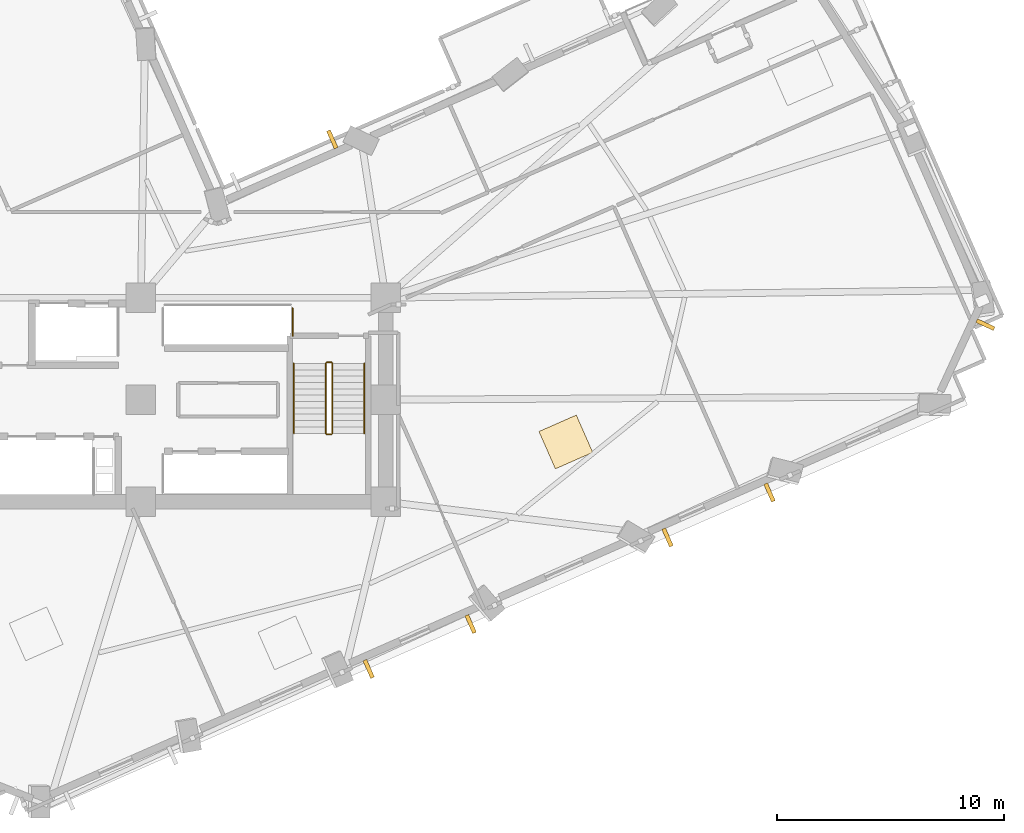
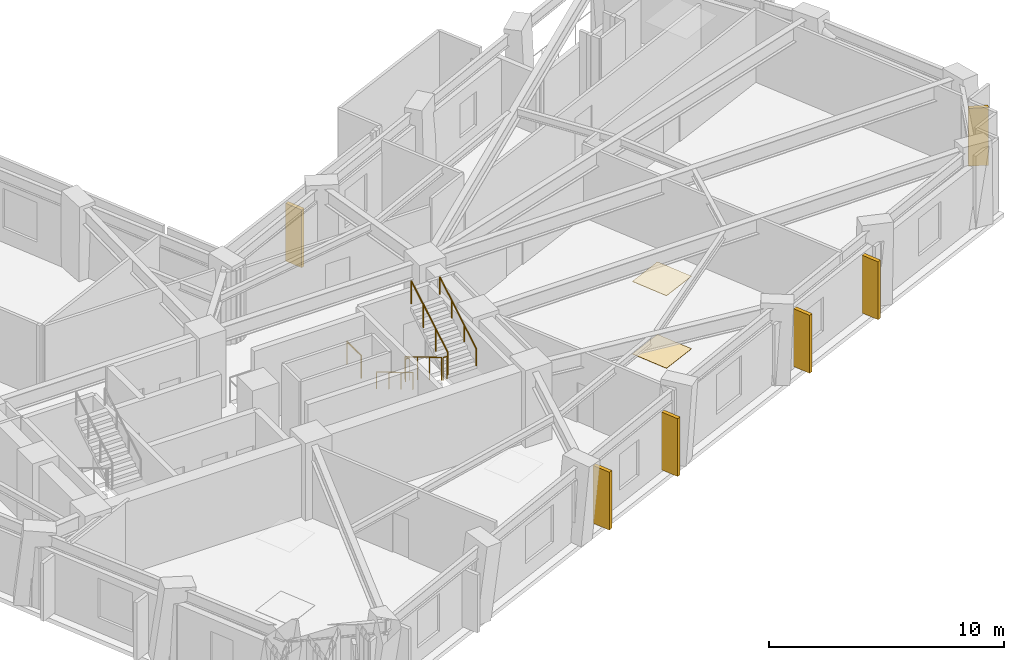
# One storey, part 12 of 15: 7 railings, 6 shading devices, 2 coverings.
"""IFC4 building model written with IfcOpenShell, lengths in metres."""

import ifcopenshell
import ifcopenshell.guid

model = None  # the IFC model being written
_history = None  # IfcOwnerHistory: only IFC2X3 demands one
_inside = {}  # id of a spatial element -> (the spatial element, [elements in it])
_under = {}  # id of a project, library or spatial element -> (it, [spatial elements below it])
_declared = {}  # id of a project -> (the project, [libraries it declares])
_typed = {}  # id of a type object -> (the type object, [elements of that type])
_made_of = {}  # id of a material, layer set ... -> (it, [elements and type objects made of it])


def new_model(schema):
    """Start an empty IFC model of exactly this schema.

    Asked for "IFC4X3", IfcOpenShell would pick the latest addendum, in which some entities
    have other attributes; the version numbers below select the first issue.
    IFC2X3 requires an IfcOwnerHistory on every rooted entity: one is made here for all.
    """
    global model, _history
    if schema == "IFC4X3":
        model = ifcopenshell.file(schema_version=(4, 3, 0, 0))
    else:
        model = ifcopenshell.file(schema=schema)
    _inside.clear()
    _under.clear()
    _declared.clear()
    _typed.clear()
    _made_of.clear()
    _history = None
    if model.schema == "IFC2X3":
        org = make("IfcOrganization", Name="unknown")
        user = make(
            "IfcPersonAndOrganization",
            ThePerson=make("IfcPerson", FamilyName="unknown"),
            TheOrganization=org,
        )
        app = make(
            "IfcApplication",
            ApplicationDeveloper=org,
            Version="unknown",
            ApplicationFullName="unknown",
            ApplicationIdentifier="unknown",
        )
        _history = make(
            "IfcOwnerHistory",
            OwningUser=user,
            OwningApplication=app,
            ChangeAction="ADDED",
            CreationDate=0,
        )
    return model


def make(cls, **values):
    """One entity of the class cls with the attributes given. An attribute that is None is left unset."""
    return model.create_entity(
        cls, **{name: value for name, value in values.items() if value is not None}
    )


def rooted(cls, **values):
    """An entity with a GlobalId (a new one), such as an element, a storey or a relation."""
    return make(cls, GlobalId=ifcopenshell.guid.new(), OwnerHistory=_history, **values)


def si_unit(unit_type, name, prefix=None):
    """IfcSIUnit, for example si_unit("LENGTHUNIT", "METRE", prefix="MILLI")."""
    return make("IfcSIUnit", UnitType=unit_type, Prefix=prefix, Name=name)


def assignment(units):
    """IfcUnitAssignment: the units of a project."""
    return None if units is None else make("IfcUnitAssignment", Units=units)


def point(xyz):
    """IfcCartesianPoint."""
    return None if xyz is None else make("IfcCartesianPoint", Coordinates=xyz)


def direction(xyz):
    """IfcDirection."""
    return None if xyz is None else make("IfcDirection", DirectionRatios=xyz)


def frame(location, z_axis=None, x_axis=None):
    """IfcAxis2Placement3D, a coordinate frame: its origin and axes. An axis left out is left unset."""
    return make(
        "IfcAxis2Placement3D",
        Location=point(location),
        Axis=direction(z_axis),
        RefDirection=direction(x_axis),
    )


def frame_2d(location, x_axis=None):
    """IfcAxis2Placement2D, a coordinate frame in the plane: its origin and x axis."""
    return make(
        "IfcAxis2Placement2D", Location=point(location), RefDirection=direction(x_axis)
    )


def origin():
    """The frame at (0, 0, 0) with its axes left unset."""
    return frame((0.0, 0.0, 0.0))


def origin_2d():
    """The frame at (0, 0) in the plane with its x axis left unset."""
    return frame_2d((0.0, 0.0))


def place(relative_to, where):
    """IfcLocalPlacement: puts the frame where relative to a parent placement (None: the world)."""
    return make(
        "IfcLocalPlacement", PlacementRelTo=relative_to, RelativePlacement=where
    )


def context(
    kind, dimensions, precision=None, world=None, true_north=None, identifier=None
):
    """IfcGeometricRepresentationContext, for example the 3D "Model" context."""
    return make(
        "IfcGeometricRepresentationContext",
        ContextIdentifier=identifier,
        ContextType=kind,
        CoordinateSpaceDimension=dimensions,
        Precision=precision,
        WorldCoordinateSystem=world,
        TrueNorth=true_north,
    )


def subcontext(parent, identifier, kind, view, scale=None):
    """IfcGeometricRepresentationSubContext, for example "Body" below "Model"."""
    return make(
        "IfcGeometricRepresentationSubContext",
        ContextIdentifier=identifier,
        ContextType=kind,
        ParentContext=parent,
        TargetScale=scale,
        TargetView=view,
    )


def project(units=None, contexts=None):
    """IfcProject with its units and contexts."""
    return rooted(
        "IfcProject",
        Name="project",
        RepresentationContexts=contexts,
        UnitsInContext=assignment(units),
    )


def spatial(cls, under=None, at=None, **own):
    """A site, building, storey or space (cls), placed at a placement, below another one or the project."""
    s = rooted(cls, ObjectPlacement=at, **own)
    if under is not None:
        _under.setdefault(under.id(), (under, []))[1].append(s)
    return s


def profile(cls, at=None, kind="AREA", **sizes):
    """A parametric profile (cls). Its sizes go by their IFC names, for example OverallWidth=200.0."""
    return make(cls, ProfileType=kind, Position=at, **sizes)


def rectangle(**sizes):
    """IfcRectangleProfileDef."""
    return profile("IfcRectangleProfileDef", **sizes)


def circle(**sizes):
    """IfcCircleProfileDef."""
    return profile("IfcCircleProfileDef", **sizes)


def extrude(swept, where, along, depth):
    """IfcExtrudedAreaSolid: the profile swept, set in the frame where, extruded along a direction by depth."""
    return make(
        "IfcExtrudedAreaSolid",
        SweptArea=swept,
        Position=where,
        ExtrudedDirection=direction(along),
        Depth=depth,
    )


def shape(context_of_items, identifier, shape_type, items):
    """IfcShapeRepresentation: the items that make up one representation, for example the "Body"."""
    return make(
        "IfcShapeRepresentation",
        ContextOfItems=context_of_items,
        RepresentationIdentifier=identifier,
        RepresentationType=shape_type,
        Items=items,
    )


def material(Name=None, Category=None):
    """IfcMaterial."""
    return make("IfcMaterial", Name=Name, Category=Category)


def layer(
    of_material, thickness, ventilated=None, Name=None, Category=None, Priority=None
):
    """IfcMaterialLayer: one layer of a wall or slab, of a material (None: an air gap)."""
    return make(
        "IfcMaterialLayer",
        Material=of_material,
        LayerThickness=thickness,
        IsVentilated=ventilated,
        Name=Name,
        Category=Category,
        Priority=Priority,
    )


def layer_set(layers, Name=None):
    """IfcMaterialLayerSet."""
    return make("IfcMaterialLayerSet", MaterialLayers=layers, LayerSetName=Name)


def made_of(thing, what):
    """Note that an element or type object is made of a material, layer set ...; save() writes the relation."""
    if what is not None:
        _made_of.setdefault(what.id(), (what, []))[1].append(thing)
    return thing


def type_object(cls, material=None, **own):
    """A type object (cls), such as IfcWallType, which elements share."""
    return made_of(rooted(cls, **own), material)


def element(
    cls,
    number,
    at=None,
    inside=None,
    cuts=None,
    type_object=None,
    material=None,
    context=None,
    identifier="Body",
    shape_type=None,
    held_by="IfcProductDefinitionShape",
    body=None,
    shapes=None,
    **own,
):
    """One element of the class cls, such as IfcWall. Its Tag is "e" and its number.

    at: its placement. inside: the storey or other place that contains it. cuts: it is an
    opening in that element (IfcRelVoidsElement). A single representation is given by context,
    identifier, shape_type and body (its items); several are given by shapes. held_by: the class
    of the entity that holds the representations. save() writes the other relations.
    """
    e = rooted(cls, Tag="e%d" % number, ObjectPlacement=at, **own)
    if body is not None:
        shapes = [shape(context, identifier, shape_type, body)]
    if shapes is not None:
        e.Representation = make(held_by, Representations=shapes)
    if inside is not None:
        _inside.setdefault(inside.id(), (inside, []))[1].append(e)
    if cuts is not None:
        rooted(
            "IfcRelVoidsElement", RelatingBuildingElement=cuts, RelatedOpeningElement=e
        )
    if type_object is not None:
        _typed.setdefault(type_object.id(), (type_object, []))[1].append(e)
    return made_of(e, material)


def aggregate(whole, parts):
    """IfcRelAggregates: a whole, such as a stair, and the parts it consists of."""
    return rooted("IfcRelAggregates", RelatingObject=whole, RelatedObjects=parts)


def save(model, path):
    """Write the relations noted so far, then the file.

    IfcRelAggregates (storeys below a building ...), IfcRelContainedInSpatialStructure (elements
    in a storey), IfcRelDefinesByType, IfcRelAssociatesMaterial and IfcRelDeclares: one each for
    every whole, place, type object, material and project.
    """
    for whole, parts in _under.values():
        aggregate(whole, parts)
    for where, things in _inside.values():
        rooted(
            "IfcRelContainedInSpatialStructure",
            RelatedElements=things,
            RelatingStructure=where,
        )
    for kind, things in _typed.values():
        rooted("IfcRelDefinesByType", RelatedObjects=things, RelatingType=kind)
    for what, things in _made_of.values():
        rooted("IfcRelAssociatesMaterial", RelatedObjects=things, RelatingMaterial=what)
    for by, libraries in _declared.values():
        rooted("IfcRelDeclares", RelatingContext=by, RelatedDefinitions=libraries)
    model.write(path)


model = new_model("IFC4")

# Units and contexts
model_context = context("Model", 3, precision=1e-05, world=origin(), true_north=direction((0.0, 1.0)))
body_context = subcontext(model_context, "Body", "Model", "MODEL_VIEW")
ifc_project = project(units=[si_unit("LENGTHUNIT", "METRE"), si_unit("AREAUNIT", "SQUARE_METRE"), si_unit("VOLUMEUNIT", "CUBIC_METRE"), si_unit("PLANEANGLEUNIT", "RADIAN"), si_unit("MASSUNIT", "GRAM", prefix="KILO")], contexts=[model_context])

# Site, building, storey
site_placement = place(None, origin())
site = spatial("IfcSite", under=ifc_project, at=site_placement, CompositionType="ELEMENT")
building_placement = place(site_placement, origin())
building = spatial("IfcBuilding", under=site, at=building_placement, Name="Gaonmaruhae Medical Tower", CompositionType="ELEMENT")
storey_placement = place(building_placement, frame((0.0, 0.0, 124.39990234375)))
storey = spatial("IfcBuildingStorey", under=building, at=storey_placement, Name="L29", CompositionType="ELEMENT", Elevation=124.39990234375)

# Coverings
ifc_material_1 = material(Name="Acoustic mineral ceiling tile", Category="finish")
ifc_layer_1 = layer(ifc_material_1, 0.02490234375)
ifc_layer_set_1 = layer_set([ifc_layer_1], Name="Acoustic mineral ceiling tile")
covering_type_1 = type_object("IfcCoveringType", Name="CLG-01 Antimicrobial Acoustic Mineral Ceiling", PredefinedType="CEILING", material=ifc_layer_set_1)
covering_1_placement = place(storey_placement, frame((43.547119140625, 10.4365234375, 3.755126953125), z_axis=(0.0, 0.0, 1.0), x_axis=(0.915311479119, 0.402746689859, 0.0)))
element("IfcCovering", 1, at=covering_1_placement, inside=storey, type_object=covering_type_1, Name="L29 Clinical Room Acoustic Ceiling 4", PredefinedType="CEILING", context=body_context, shape_type="SweptSolid", body=[
    extrude(rectangle(XDim=1.800048828125, YDim=1.800048828125, at=origin_2d()), origin(), (0.0, 0.0, 1.0), 0.02490234375),
])
ifc_material_2 = material(Name="Seamless clinical vinyl flooring", Category="finish")
ifc_layer_2 = layer(ifc_material_2, 0.014892578125)
ifc_layer_set_2 = layer_set([ifc_layer_2], Name="Seamless clinical vinyl flooring")
covering_type_2 = type_object("IfcCoveringType", Name="FLR-01 Seamless Clinical Antistatic Vinyl Flooring", PredefinedType="FLOORING", material=ifc_layer_set_2)
covering_2_placement = place(storey_placement, frame((43.547119140625, 10.4365234375, 0.0), z_axis=(0.0, 0.0, 1.0), x_axis=(0.915311479119, 0.402746689859, 0.0)))
element("IfcCovering", 2, at=covering_2_placement, inside=storey, type_object=covering_type_2, Name="L29 Clinical Room Vinyl Flooring 4", PredefinedType="FLOORING", context=body_context, shape_type="SweptSolid", body=[
    extrude(rectangle(XDim=1.800048828125, YDim=1.800048828125, at=origin_2d()), origin(), (0.0, 0.0, 1.0), 0.014892578125),
])

# Railings
ifc_material_3 = material(Name="Stainless steel 304 handrail", Category="steel")
railing_type_1 = type_object("IfcRailingType", Name="HR-092 Continuous Stainless Steel Stair Handrail", PredefinedType="HANDRAIL", material=ifc_material_3)
railing_1_placement = place(storey_placement, frame((31.550048828125, 13.89990234375, 0.166748046875)))
element("IfcRailing", 3, at=railing_1_placement, inside=storey, type_object=railing_type_1, Name="L29 ST-02 stair handrail 1", PredefinedType="HANDRAIL", context=body_context, shape_type="SweptSolid", body=[
    extrude(circle(Radius=0.02392578125, at=origin_2d()), frame((0.0, 0.0, 0.8759765625), z_axis=(0.0, -0.859290745958, 0.51148745235), x_axis=(1.0, 0.0, 0.0)), (0.0, 0.0, 1.0), 3.584228515625),
    extrude(circle(Radius=0.02099609375, at=origin_2d()), origin(), (0.0, 0.0, 1.0), 0.851806640625),
    extrude(circle(Radius=0.02099609375, at=origin_2d()), frame((0.0, -1.026611328125, 0.611083984375)), (0.0, 0.0, 1.0), 0.851806640625),
    extrude(circle(Radius=0.02099609375, at=origin_2d()), frame((0.0, -2.05322265625, 1.22216796875)), (0.0, 0.0, 1.0), 0.851806640625),
    extrude(circle(Radius=0.02099609375, at=origin_2d()), frame((0.0, -3.079833984375, 1.833251953125)), (0.0, 0.0, 1.0), 0.851806640625),
])
railing_2_placement = place(storey_placement, frame((34.64990234375, 10.820068359375, 2.166748046875)))
element("IfcRailing", 4, at=railing_2_placement, inside=storey, type_object=railing_type_1, Name="L29 ST-02 stair handrail 2", PredefinedType="HANDRAIL", context=body_context, shape_type="SweptSolid", body=[
    extrude(circle(Radius=0.02392578125, at=origin_2d()), frame((0.0, 0.0, 0.8759765625), z_axis=(0.0, 0.859290745958, 0.51148745235), x_axis=(-1.0, 0.0, 0.0)), (0.0, 0.0, 1.0), 3.584228515625),
    extrude(circle(Radius=0.02099609375, at=origin_2d()), origin(), (0.0, 0.0, 1.0), 0.851806640625),
    extrude(circle(Radius=0.02099609375, at=origin_2d()), frame((0.0, 1.026611328125, 0.611083984375)), (0.0, 0.0, 1.0), 0.851806640625),
    extrude(circle(Radius=0.02099609375, at=origin_2d()), frame((0.0, 2.05322265625, 1.22216796875)), (0.0, 0.0, 1.0), 0.851806640625),
    extrude(circle(Radius=0.02099609375, at=origin_2d()), frame((0.0, 3.079833984375, 1.833251953125)), (0.0, 0.0, 1.0), 0.851806640625),
])

# Shading devices
ifc_material_4 = material(Name="Pigmented coral precast concrete C45/55", Category="concrete")
shading_device_type = type_object("IfcShadingDeviceType", Name="SD-FIN1 Tower Vertical Coral Precast Shading Fin", PredefinedType="USERDEFINED", material=ifc_material_4)
for number, where, z_axis, x_axis, name in (
    (5, (39.34619140625, 2.40234375, 0.08251953125), (0.0, 0.0, 1.0), (-0.915318508236, -0.402730714598, 0.0), "L29 Vertical Coral Precast Shading Fin S03"),
    (6, (34.847900390625, 0.423095703125, 0.08251953125), (0.0, 0.0, 1.0), (-0.915318508236, -0.402730714598, 0.0), "L29 Vertical Coral Precast Shading Fin S03B"),
    (7, (52.5341796875, 8.205322265625, 0.08251953125), (0.0, 0.0, 1.0), (-0.915311479119, -0.402746689859, 0.0), "L29 Vertical Coral Precast Shading Fin S05"),
    (8, (48.032470703125, 6.224365234375, 0.08251953125), (0.0, 0.0, 1.0), (-0.915311479119, -0.402746689859, 0.0), "L29 Vertical Coral Precast Shading Fin S05B"),
    (9, (62.057373046875, 15.611328125, 0.08251953125), (0.0, 0.0, 1.0), (-0.419483769602, -0.90776283634, 0.0), "L29 Vertical Coral Precast Shading Fin S07"),
    (10, (33.243408203125, 23.785400390625, 0.08251953125), (0.0, 0.0, 1.0), (0.915311479119, 0.402746689859, 0.0), "L29 Vertical Coral Precast Shading Fin EN03B"),
):
    element("IfcShadingDevice", number, at=place(storey_placement, frame(where, z_axis=z_axis, x_axis=x_axis)), inside=storey, type_object=shading_device_type, Name=name, ObjectType="FIN", PredefinedType="USERDEFINED", context=body_context, shape_type="SweptSolid", body=[
        extrude(rectangle(XDim=0.179931640625, YDim=0.85009765625, at=origin_2d()), origin(), (0.0, 0.0, 1.0), 3.0),
    ])

# Railings
ifc_material_5 = material(Name="Stainless steel 304 balustrade", Category="steel")
railing_type_2 = type_object("IfcRailingType", Name="SG-112 Stair Well & Ramp Void Safety Balustrade", PredefinedType="BALUSTRADE", material=ifc_material_5)
railing_3_placement = place(storey_placement, frame((32.949951171875, 13.89990234375, 0.166748046875)))
element("IfcRailing", 11, at=railing_3_placement, inside=storey, type_object=railing_type_2, Name="L29 ST-02 stair guard 1", PredefinedType="BALUSTRADE", context=body_context, shape_type="SweptSolid", body=[
    extrude(circle(Radius=0.02392578125, at=origin_2d()), frame((0.0, 0.0, 1.17578125), z_axis=(0.0, -0.859290745958, 0.51148745235), x_axis=(1.0, 0.0, 0.0)), (0.0, 0.0, 1.0), 3.584228515625),
    extrude(circle(Radius=0.02099609375, at=origin_2d()), origin(), (0.0, 0.0, 1.0), 1.15185546875),
    extrude(circle(Radius=0.02099609375, at=origin_2d()), frame((0.0, -1.026611328125, 0.611083984375)), (0.0, 0.0, 1.0), 1.15185546875),
    extrude(circle(Radius=0.02099609375, at=origin_2d()), frame((0.0, -2.05322265625, 1.22216796875)), (0.0, 0.0, 1.0), 1.15185546875),
    extrude(circle(Radius=0.02099609375, at=origin_2d()), frame((0.0, -3.079833984375, 1.833251953125)), (0.0, 0.0, 1.0), 1.15185546875),
])
railing_4_placement = place(storey_placement, frame((33.0, 10.77001953125, 2.0)))
element("IfcRailing", 12, at=railing_4_placement, inside=storey, type_object=railing_type_2, Name="L29 ST-02 stair guard 2", PredefinedType="BALUSTRADE", context=body_context, shape_type="SweptSolid", body=[
    extrude(circle(Radius=0.02392578125, at=origin_2d()), frame((0.0, 0.0, 1.17578125), z_axis=(1.0, 0.0, 0.0), x_axis=(0.0, 1.0, 0.0)), (0.0, 0.0, 1.0), 0.199951171875),
    extrude(circle(Radius=0.02099609375, at=origin_2d()), origin(), (0.0, 0.0, 1.0), 1.15185546875),
    extrude(circle(Radius=0.02099609375, at=origin_2d()), frame((0.199951171875, 0.0, 0.0)), (0.0, 0.0, 1.0), 1.15185546875),
])
railing_5_placement = place(storey_placement, frame((33.25, 10.820068359375, 2.166748046875)))
element("IfcRailing", 13, at=railing_5_placement, inside=storey, type_object=railing_type_2, Name="L29 ST-02 stair guard 3", PredefinedType="BALUSTRADE", context=body_context, shape_type="SweptSolid", body=[
    extrude(circle(Radius=0.02392578125, at=origin_2d()), frame((0.0, 0.0, 1.17578125), z_axis=(0.0, 0.859290745958, 0.51148745235), x_axis=(-1.0, 0.0, 0.0)), (0.0, 0.0, 1.0), 3.584228515625),
    extrude(circle(Radius=0.02099609375, at=origin_2d()), origin(), (0.0, 0.0, 1.0), 1.15185546875),
    extrude(circle(Radius=0.02099609375, at=origin_2d()), frame((0.0, 1.026611328125, 0.611083984375)), (0.0, 0.0, 1.0), 1.15185546875),
    extrude(circle(Radius=0.02099609375, at=origin_2d()), frame((0.0, 2.05322265625, 1.22216796875)), (0.0, 0.0, 1.0), 1.15185546875),
    extrude(circle(Radius=0.02099609375, at=origin_2d()), frame((0.0, 3.079833984375, 1.833251953125)), (0.0, 0.0, 1.0), 1.15185546875),
])
railing_6_placement = place(storey_placement, frame((33.0, 13.949951171875, 0.0)))
element("IfcRailing", 14, at=railing_6_placement, inside=storey, type_object=railing_type_2, Name="L29 ST-02 stair guard 4", PredefinedType="BALUSTRADE", context=body_context, shape_type="SweptSolid", body=[
    extrude(circle(Radius=0.02392578125, at=origin_2d()), frame((0.0, 0.0, 1.17578125), z_axis=(1.0, 0.0, 0.0), x_axis=(0.0, 1.0, 0.0)), (0.0, 0.0, 1.0), 0.199951171875),
    extrude(circle(Radius=0.02099609375, at=origin_2d()), origin(), (0.0, 0.0, 1.0), 1.15185546875),
    extrude(circle(Radius=0.02099609375, at=origin_2d()), frame((0.199951171875, 0.0, 0.0)), (0.0, 0.0, 1.0), 1.15185546875),
])
railing_7_placement = place(storey_placement, frame((31.4951171875, 16.330078125, 0.0)))
element("IfcRailing", 15, at=railing_7_placement, inside=storey, type_object=railing_type_2, Name="L29 Shaft Edge Safety Guard 08", PredefinedType="BALUSTRADE", context=body_context, shape_type="SweptSolid", body=[
    extrude(circle(Radius=0.02392578125, at=origin_2d()), frame((0.0, 0.0, 1.17578125), z_axis=(0.0, -1.0, 0.0), x_axis=(1.0, 0.0, 0.0)), (0.0, 0.0, 1.0), 1.2099609375),
    extrude(circle(Radius=0.02099609375, at=origin_2d()), origin(), (0.0, 0.0, 1.0), 1.15185546875),
    extrude(circle(Radius=0.02099609375, at=origin_2d()), frame((0.0, -1.2099609375, 0.0)), (0.0, 0.0, 1.0), 1.15185546875),
])

save(model, "model.ifc")
